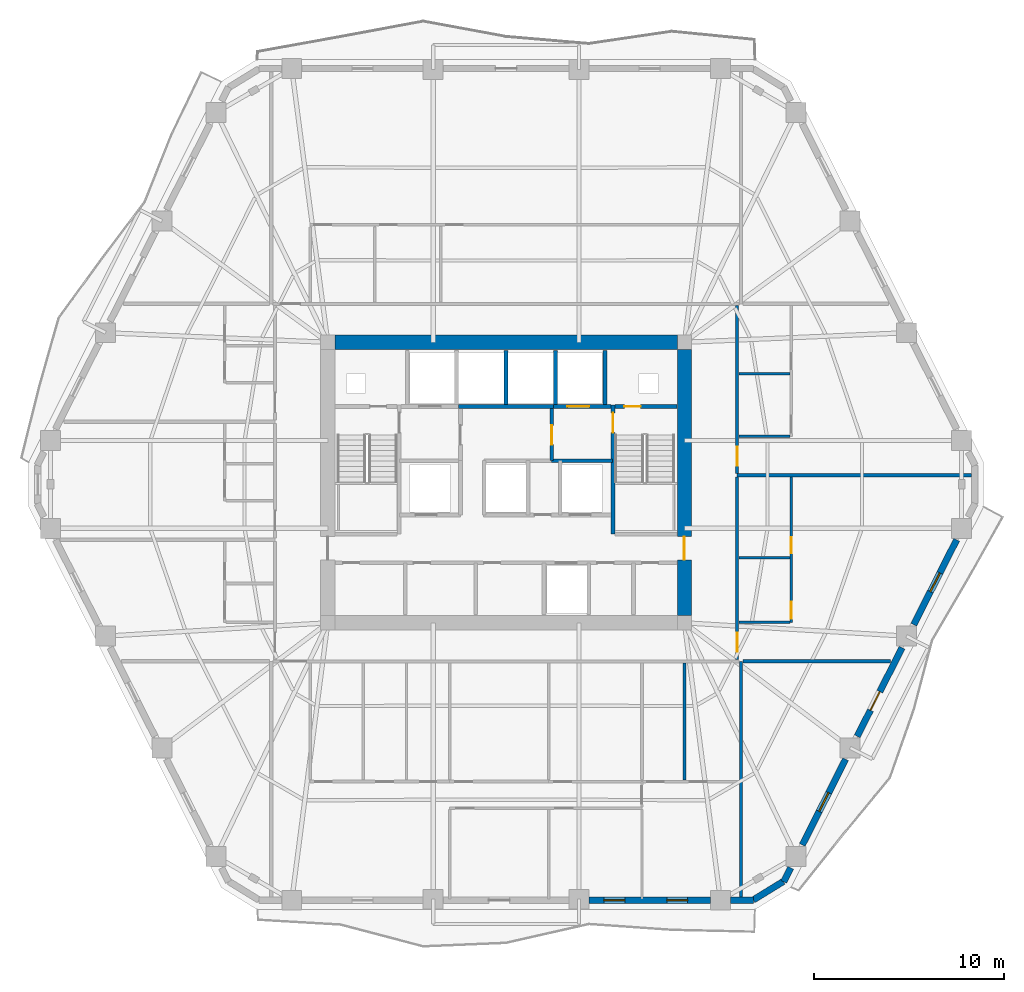
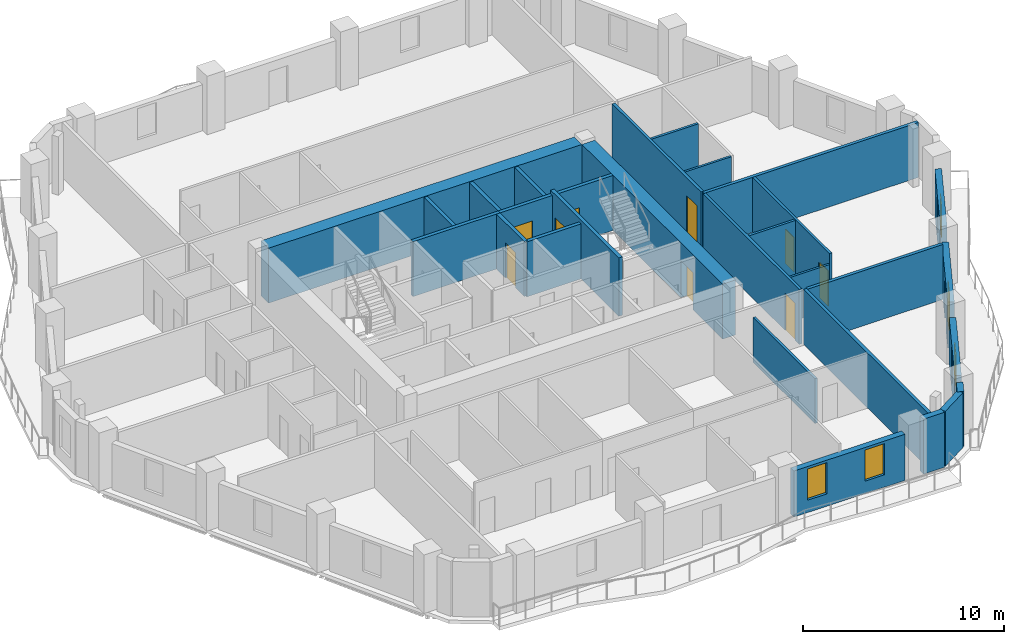
# One storey, part 6 of 10: 29 walls, 10 doors, 4 windows, 14 openings.
"""IFC4 building model written with IfcOpenShell, lengths in metres."""

from ifc_helpers import new_model, si_unit, direction, frame, frame_2d, origin, place, context, subcontext, project, spatial, rectangle, extrude, material, layer, layer_set, type_object, element, fill, save


model = new_model("IFC4")

# Units and contexts
model_context = context("Model", 3, precision=1e-05, world=origin(), true_north=direction((0.0, 1.0)))
body_context = subcontext(model_context, "Body", "Model", "MODEL_VIEW")
ifc_project = project(units=[si_unit("LENGTHUNIT", "METRE"), si_unit("AREAUNIT", "SQUARE_METRE"), si_unit("VOLUMEUNIT", "CUBIC_METRE"), si_unit("PLANEANGLEUNIT", "RADIAN"), si_unit("MASSUNIT", "GRAM", prefix="KILO")], contexts=[model_context])

# Site, building, storey
site_placement = place(None, origin())
site = spatial("IfcSite", under=ifc_project, at=site_placement, CompositionType="ELEMENT")
building_placement = place(site_placement, origin())
building = spatial("IfcBuilding", under=site, at=building_placement, Name="Cinnabar Lancet Tower", CompositionType="ELEMENT")
storey_placement = place(building_placement, frame((0.0, 0.0, 119.699951171875)))
storey = spatial("IfcBuildingStorey", under=building, at=storey_placement, Name="L31", CompositionType="ELEMENT", Elevation=119.699951171875)

# Wall, opening, door
ifc_material_1 = material(Name="Acoustic twin-stud gypsum partition", Category="gypsum")
ifc_layer_1 = layer(ifc_material_1, 0.159912109375)
ifc_layer_set_1 = layer_set([ifc_layer_1], Name="Acoustic twin-stud gypsum partition")
wall_type_1 = type_object("IfcWallType", Name="ARC-WL-CORR-160", PredefinedType="PARTITIONING", material=ifc_layer_set_1)
wall_1_placement = place(storey_placement, frame((44.550048828125, 16.594970703125, 0.0), z_axis=(0.0, 0.0, 1.0), x_axis=(0.0, 1.0, 0.0)))
wall_1 = element("IfcWall", 1, at=wall_1_placement, inside=storey, type_object=wall_type_1, Name="UW-L31-E01-COR", PredefinedType="PARTITIONING", context=body_context, shape_type="SweptSolid", body=[
    extrude(rectangle(XDim=9.5859375, YDim=0.159912109375, at=frame_2d((4.79296875, 0.0))), origin(), (0.0, 0.0, 1.0), 3.340087890625),
])
opening_1_placement = place(wall_1_placement, frame((0.39990234375, 0.0, 0.0)))
opening_1 = element("IfcOpeningElement", 2, at=opening_1_placement, cuts=wall_1, Name="Opening UD-01", PredefinedType="OPENING", context=body_context, shape_type="SweptSolid", body=[
    extrude(rectangle(XDim=1.02001953125, YDim=2.25, at=frame_2d((0.510009765625, 1.125))), frame((0.0, 0.08984375, 0.0), z_axis=(0.0, -1.0, 0.0), x_axis=(1.0, 0.0, 0.0)), (0.0, 0.0, 1.0), 0.179931640625),
])
ifc_material_2 = material(Name="Solid timber fire-rated apartment entrance door", Category="wood")
door_type_1 = type_object("IfcDoorType", Name="ARC-DR-UNIT", OperationType="NOTDEFINED", PredefinedType="DOOR", material=ifc_material_2)
door_1_placement = place(opening_1_placement, origin())
door_1 = element("IfcDoor", 3, at=door_1_placement, inside=storey, type_object=door_type_1, Name="DR-L31-E01-ENT", OperationType="SINGLE_SWING_RIGHT", OverallHeight=2.25, OverallWidth=1.02001953125, PredefinedType="DOOR", context=body_context, shape_type="SweptSolid", body=[
    extrude(rectangle(XDim=1.02001953125, YDim=2.25, at=frame_2d((0.510009765625, 1.125))), frame((0.0, 0.02490234375, 0.0), z_axis=(0.0, -1.0, 0.0), x_axis=(1.0, 0.0, 0.0)), (0.0, 0.0, 1.0), 0.050048828125),
])
fill(opening_1, door_1)

wall_2_placement = place(storey_placement, frame((44.550048828125, 26.37109375, 0.0), z_axis=(0.0, 0.0, 1.0), x_axis=(0.0, 1.0, 0.0)))
wall_2 = element("IfcWall", 4, at=wall_2_placement, inside=storey, type_object=wall_type_1, Name="UW-L31-E02-COR", PredefinedType="PARTITIONING", context=body_context, shape_type="SweptSolid", body=[
    extrude(rectangle(XDim=8.833984375, YDim=0.159912109375, at=frame_2d((4.4169921875, 0.0))), origin(), (0.0, 0.0, 1.0), 3.340087890625),
])
opening_2_placement = place(wall_2_placement, frame((0.39990234375, 0.0, 0.0)))
opening_2 = element("IfcOpeningElement", 5, at=opening_2_placement, cuts=wall_2, Name="Opening UD-01", PredefinedType="OPENING", context=body_context, shape_type="SweptSolid", body=[
    extrude(rectangle(XDim=1.02001953125, YDim=2.25, at=frame_2d((0.510009765625, 1.125))), frame((0.0, 0.08984375, 0.0), z_axis=(0.0, -1.0, 0.0), x_axis=(1.0, 0.0, 0.0)), (0.0, 0.0, 1.0), 0.179931640625),
])
door_2_placement = place(opening_2_placement, origin())
door_2 = element("IfcDoor", 6, at=door_2_placement, inside=storey, type_object=door_type_1, Name="DR-L31-E02-ENT", OperationType="SINGLE_SWING_LEFT", OverallHeight=2.25, OverallWidth=1.02001953125, PredefinedType="DOOR", context=body_context, shape_type="SweptSolid", body=[
    extrude(rectangle(XDim=1.02001953125, YDim=2.25, at=frame_2d((0.510009765625, 1.125))), frame((0.0, 0.02490234375, 0.0), z_axis=(0.0, -1.0, 0.0), x_axis=(1.0, 0.0, 0.0)), (0.0, 0.0, 1.0), 0.050048828125),
])
fill(opening_2, door_2)

# Walls
ifc_material_3 = material(Name="Fire-rated twin-frame acoustic drywall", Category="gypsum")
ifc_layer_2 = layer(ifc_material_3, 0.179931640625)
ifc_layer_set_2 = layer_set([ifc_layer_2], Name="Fire-rated twin-frame acoustic drywall")
wall_type_2 = type_object("IfcWallType", Name="ARC-WL-PARTY-180", PredefinedType="PARTITIONING", material=ifc_layer_set_2)
wall_3_placement = place(storey_placement, frame((44.75, 4.10498046875, 0.0), z_axis=(0.0, 0.0, 1.0), x_axis=(0.0, 1.0, 0.0)))
element("IfcWall", 7, at=wall_3_placement, inside=storey, type_object=wall_type_2, Name="PW-L31-SPTY-448", PredefinedType="PARTITIONING", context=body_context, shape_type="SweptSolid", body=[
    extrude(rectangle(XDim=12.39501953125, YDim=0.179931640625, at=frame_2d((6.197509765625, 0.0))), origin(), (0.0, 0.0, 1.0), 3.340087890625),
])
wall_4_placement = place(storey_placement, frame((44.844970703125, 16.5, 0.0), z_axis=(0.0, 0.0, 1.0), x_axis=(1.0, 0.0, 0.0)))
element("IfcWall", 8, at=wall_4_placement, inside=storey, type_object=wall_type_2, Name="PW-L31-ESB", PredefinedType="PARTITIONING", context=body_context, shape_type="SweptSolid", body=[
    extrude(rectangle(XDim=7.77001953125, YDim=0.179931640625, at=frame_2d((3.885009765625, 0.0))), origin(), (0.0, 0.0, 1.0), 3.340087890625),
])
wall_5_placement = place(storey_placement, frame((44.550048828125, 26.27587890625, 0.0), z_axis=(0.0, 0.0, 1.0), x_axis=(1.0, 0.0, 0.0)))
element("IfcWall", 9, at=wall_5_placement, inside=storey, type_object=wall_type_2, Name="PW-L31-EPTY-1", PredefinedType="PARTITIONING", context=body_context, shape_type="SweptSolid", body=[
    extrude(rectangle(XDim=12.307861328125, YDim=0.179931640625, at=frame_2d((6.15380859375, 0.0))), origin(), (0.0, 0.0, 1.0), 3.340087890625),
])
ifc_material_4 = material(Name="Autoclaved aerated concrete blockwork", Category="masonry")
ifc_layer_3 = layer(ifc_material_4, 0.199951171875)
ifc_layer_set_3 = layer_set([ifc_layer_3], Name="Autoclaved aerated concrete blockwork")
wall_type_3 = type_object("IfcWallType", Name="ARC-WL-SHAFT-200", PredefinedType="PLUMBINGWALL", material=ifc_layer_set_3)
wall_6_placement = place(storey_placement, frame((29.89990234375, 29.89990234375, 0.0), z_axis=(0.0, 0.0, 1.0), x_axis=(1.0, 0.0, 0.0)))
element("IfcWall", 10, at=wall_6_placement, inside=storey, type_object=wall_type_3, Name="CW-PL78-L31", PredefinedType="PLUMBINGWALL", context=body_context, shape_type="SweptSolid", body=[
    extrude(rectangle(XDim=5.0, YDim=0.199951171875, at=frame_2d((2.5, 0.0))), origin(), (0.0, 0.0, 1.0), 3.340087890625),
])

# Wall, opening, door
wall_7_placement = place(storey_placement, frame((34.89990234375, 29.89990234375, 0.0), z_axis=(0.0, 0.0, 1.0), x_axis=(1.0, 0.0, 0.0)))
wall_7 = element("IfcWall", 11, at=wall_7_placement, inside=storey, type_object=wall_type_3, Name="CW-FL2-L31", PredefinedType="PLUMBINGWALL", context=body_context, shape_type="SweptSolid", body=[
    extrude(rectangle(XDim=3.01513671875, YDim=0.199951171875, at=frame_2d((1.507568359375, 0.0))), origin(), (0.0, 0.0, 1.0), 3.340087890625),
])
opening_3_placement = place(wall_7_placement, frame((0.72509765625, 0.0, 0.0)))
opening_3 = element("IfcOpeningElement", 12, at=opening_3_placement, cuts=wall_7, Name="Opening LD-02", PredefinedType="OPENING", context=body_context, shape_type="SweptSolid", body=[
    extrude(rectangle(XDim=1.14990234375, YDim=2.199951171875, at=frame_2d((0.574951171875, 1.10009765625))), frame((0.0, 0.10986328125, 0.0), z_axis=(0.0, -1.0, 0.0), x_axis=(1.0, 0.0, 0.0)), (0.0, 0.0, 1.0), 0.219970703125),
])
ifc_material_5 = material(Name="Fire-rated stainless steel firefighting lift landing door", Category="steel")
door_type_2 = type_object("IfcDoorType", Name="ARC-DR-LD-FIRE", OperationType="NOTDEFINED", PredefinedType="DOOR", material=ifc_material_5)
door_3_placement = place(opening_3_placement, origin())
door_3 = element("IfcDoor", 13, at=door_3_placement, inside=storey, type_object=door_type_2, Name="L31 Firefighting Lift FL-2 Landing Door", OperationType="DOUBLE_DOOR_SLIDING", OverallHeight=2.199951171875, OverallWidth=1.14990234375, PredefinedType="DOOR", context=body_context, shape_type="SweptSolid", body=[
    extrude(rectangle(XDim=1.14990234375, YDim=2.199951171875, at=frame_2d((0.574951171875, 1.10009765625))), frame((0.0, 0.02490234375, 0.0), z_axis=(0.0, -1.0, 0.0), x_axis=(1.0, 0.0, 0.0)), (0.0, 0.0, 1.0), 0.050048828125),
])
fill(opening_3, door_3)

wall_8_placement = place(storey_placement, frame((38.125, 29.89990234375, 0.0), z_axis=(0.0, 0.0, 1.0), x_axis=(1.0, 0.0, 0.0)))
wall_8 = element("IfcWall", 14, at=wall_8_placement, inside=storey, type_object=wall_type_3, Name="CW-NSH-E-L31", PredefinedType="PLUMBINGWALL", context=body_context, shape_type="SweptSolid", body=[
    extrude(rectangle(XDim=3.27001953125, YDim=0.199951171875, at=frame_2d((1.635009765625, 0.0))), origin(), (0.0, 0.0, 1.0), 3.340087890625),
])
opening_4_placement = place(wall_8_placement, frame((0.5, 0.0, 0.0)))
opening_4 = element("IfcOpeningElement", 15, at=opening_4_placement, cuts=wall_8, Name="Opening PD-02", PredefinedType="OPENING", context=body_context, shape_type="SweptSolid", body=[
    extrude(rectangle(XDim=0.85009765625, YDim=2.050048828125, at=frame_2d((0.425048828125, 1.02490234375))), frame((0.0, 0.10986328125, 0.0), z_axis=(0.0, -1.0, 0.0), x_axis=(1.0, 0.0, 0.0)), (0.0, 0.0, 1.0), 0.219970703125),
])
ifc_material_6 = material(Name="Fire-rated steel riser access door", Category="steel")
door_type_3 = type_object("IfcDoorType", Name="ARC-DR-RISER", OperationType="NOTDEFINED", PredefinedType="DOOR", material=ifc_material_6)
door_4_placement = place(opening_4_placement, origin())
door_4 = element("IfcDoor", 16, at=door_4_placement, inside=storey, type_object=door_type_3, Name="L31 East Riser Access Door", OperationType="SINGLE_SWING_RIGHT", OverallHeight=2.050048828125, OverallWidth=0.85009765625, PredefinedType="DOOR", context=body_context, shape_type="SweptSolid", body=[
    extrude(rectangle(XDim=0.85009765625, YDim=2.050048828125, at=frame_2d((0.425048828125, 1.02490234375))), frame((0.0, 0.02490234375, 0.0), z_axis=(0.0, -1.0, 0.0), x_axis=(1.0, 0.0, 0.0)), (0.0, 0.0, 1.0), 0.050048828125),
])
fill(opening_4, door_4)

# Walls
for number, where, z_axis, x_axis, name in (
    (17, (32.39990234375, 30.0, 0.0), (0.0, 0.0, 1.0), (0.0, 1.0, 0.0), "CW-NSH-D3-L31"),
    (18, (35.0, 30.0, 0.0), (0.0, 0.0, 1.0), (0.0, 1.0, 0.0), "CW-NSH-D4-L31"),
    (19, (37.60009765625, 30.0, 0.0), (0.0, 0.0, 1.0), (0.0, 1.0, 0.0), "CW-NSH-D5-L31"),
):
    element("IfcWall", number, at=place(storey_placement, frame(where, z_axis=z_axis, x_axis=x_axis)), inside=storey, type_object=wall_type_3, Name=name, PredefinedType="PLUMBINGWALL", context=body_context, shape_type="SweptSolid", body=[
        extrude(rectangle(XDim=2.85009765625, YDim=0.199951171875, at=frame_2d((1.425048828125, 0.0))), origin(), (0.0, 0.0, 1.0), 3.340087890625),
    ])

# Wall, opening, door
wall_9_placement = place(storey_placement, frame((34.800048828125, 27.050048828125, 0.0), z_axis=(0.0, 0.0, 1.0), x_axis=(0.0, 1.0, 0.0)))
wall_9 = element("IfcWall", 20, at=wall_9_placement, inside=storey, type_object=wall_type_3, Name="CW-FF2W-L31", PredefinedType="PLUMBINGWALL", context=body_context, shape_type="SweptSolid", body=[
    extrude(rectangle(XDim=2.75, YDim=0.199951171875, at=frame_2d((1.375, 0.0))), origin(), (0.0, 0.0, 1.0), 3.340087890625),
])
opening_5_placement = place(wall_9_placement, frame((0.85009765625, 0.0, 0.0)))
opening_5 = element("IfcOpeningElement", 21, at=opening_5_placement, cuts=wall_9, Name="Opening FD-01", PredefinedType="OPENING", context=body_context, shape_type="SweptSolid", body=[
    extrude(rectangle(XDim=1.0, YDim=2.14990234375, at=frame_2d((0.5, 1.074951171875))), frame((0.0, 0.10986328125, 0.0), z_axis=(0.0, -1.0, 0.0), x_axis=(1.0, 0.0, 0.0)), (0.0, 0.0, 1.0), 0.219970703125),
])
ifc_material_7 = material(Name="Fire-rated timber-core lobby door", Category="wood")
door_type_4 = type_object("IfcDoorType", Name="ARC-DR-FFAL", OperationType="NOTDEFINED", PredefinedType="DOOR", material=ifc_material_7)
door_5_placement = place(opening_5_placement, origin())
door_5 = element("IfcDoor", 22, at=door_5_placement, inside=storey, type_object=door_type_4, Name="L31 FFAL-2 Lobby Fire Door", OperationType="SINGLE_SWING_LEFT", OverallHeight=2.14990234375, OverallWidth=1.0, PredefinedType="DOOR", context=body_context, shape_type="SweptSolid", body=[
    extrude(rectangle(XDim=1.0, YDim=2.14990234375, at=frame_2d((0.5, 1.074951171875))), frame((0.0, 0.02490234375, 0.0), z_axis=(0.0, -1.0, 0.0), x_axis=(1.0, 0.0, 0.0)), (0.0, 0.0, 1.0), 0.050048828125),
])
fill(opening_5, door_5)

# Walls
wall_10_placement = place(storey_placement, frame((34.800048828125, 27.050048828125, 0.0), z_axis=(0.0, 0.0, 1.0), x_axis=(1.0, 0.0, 0.0)))
element("IfcWall", 23, at=wall_10_placement, inside=storey, type_object=wall_type_3, Name="CW-FF2S-L31", PredefinedType="PLUMBINGWALL", context=body_context, shape_type="SweptSolid", body=[
    extrude(rectangle(XDim=3.199951171875, YDim=0.199951171875, at=frame_2d((1.60009765625, 0.0))), origin(), (0.0, 0.0, 1.0), 3.340087890625),
])
ifc_material_8 = material(Name="Gypsum plasterboard stud partition", Category="gypsum")
ifc_layer_4 = layer(ifc_material_8, 0.125)
ifc_layer_set_4 = layer_set([ifc_layer_4], Name="Gypsum plasterboard stud partition")
wall_type_4 = type_object("IfcWallType", Name="ARC-WL-UNIT-125", PredefinedType="PARTITIONING", material=ifc_layer_set_4)
wall_11_placement = place(storey_placement, frame((44.635009765625, 18.550048828125, 0.0), z_axis=(0.0, 0.0, 1.0), x_axis=(1.0, 0.0, 0.0)))
element("IfcWall", 24, at=wall_11_placement, inside=storey, type_object=wall_type_4, Name="UW-L31-E01-FOYN", PredefinedType="PARTITIONING", context=body_context, shape_type="SweptSolid", body=[
    extrude(rectangle(XDim=2.679931640625, YDim=0.125, at=frame_2d((1.33984375, 0.0))), origin(), (0.0, 0.0, 1.0), 2.72216796875),
])
wall_12_placement = place(storey_placement, frame((44.635009765625, 28.325927734375, 0.0), z_axis=(0.0, 0.0, 1.0), x_axis=(1.0, 0.0, 0.0)))
element("IfcWall", 25, at=wall_12_placement, inside=storey, type_object=wall_type_4, Name="UW-L31-E02-FOYN", PredefinedType="PARTITIONING", context=body_context, shape_type="SweptSolid", body=[
    extrude(rectangle(XDim=2.679931640625, YDim=0.125, at=frame_2d((1.33984375, 0.0))), origin(), (0.0, 0.0, 1.0), 3.340087890625),
])
ifc_material_9 = material(Name="Moisture-resistant cement-board plumbing wall", Category="masonry")
ifc_layer_5 = layer(ifc_material_9, 0.139892578125)
ifc_layer_set_5 = layer_set([ifc_layer_5], Name="Moisture-resistant cement-board plumbing wall")
wall_type_5 = type_object("IfcWallType", Name="ARC-WL-WET-140", PredefinedType="PLUMBINGWALL", material=ifc_layer_set_5)
wall_13_placement = place(storey_placement, frame((41.782958984375, 10.263916015625, 0.0), z_axis=(0.0, 0.0, 1.0), x_axis=(0.0, 1.0, 0.0)))
element("IfcWall", 26, at=wall_13_placement, inside=storey, type_object=wall_type_5, Name="UW-L31-S01-ENS-WDV", PredefinedType="PLUMBINGWALL", context=body_context, shape_type="SweptSolid", body=[
    extrude(rectangle(XDim=6.151123046875, YDim=0.139892578125, at=frame_2d((3.07568359375, 0.0))), origin(), (0.0, 0.0, 1.0), 2.72216796875),
])

# Wall, openings, doors
wall_14_placement = place(storey_placement, frame((47.39990234375, 18.550048828125, 0.0), z_axis=(0.0, 0.0, 1.0), x_axis=(0.0, 1.0, 0.0)))
wall_14 = element("IfcWall", 27, at=wall_14_placement, inside=storey, type_object=wall_type_5, Name="UW-L31-E01-SPL", PredefinedType="PLUMBINGWALL", context=body_context, shape_type="SweptSolid", body=[
    extrude(rectangle(XDim=7.630859375, YDim=0.139892578125, at=frame_2d((3.8154296875, 0.0))), origin(), (0.0, 0.0, 1.0), 3.340087890625),
])
opening_6_placement = place(wall_14_placement, frame((3.6201171875, 0.0, 0.0)))
opening_6 = element("IfcOpeningElement", 28, at=opening_6_placement, cuts=wall_14, Name="Opening BD-01", PredefinedType="OPENING", context=body_context, shape_type="SweptSolid", body=[
    extrude(rectangle(XDim=0.860107421875, YDim=2.10009765625, at=frame_2d((0.43017578125, 1.050048828125))), frame((0.0, 0.079833984375, 0.0), z_axis=(0.0, -1.0, 0.0), x_axis=(1.0, 0.0, 0.0)), (0.0, 0.0, 1.0), 0.159912109375),
])
opening_7_placement = place(wall_14_placement, frame((0.199951171875, 0.0, 0.0)))
opening_7 = element("IfcOpeningElement", 29, at=opening_7_placement, cuts=wall_14, Name="Opening RD-02", PredefinedType="OPENING", context=body_context, shape_type="SweptSolid", body=[
    extrude(rectangle(XDim=0.8798828125, YDim=2.14990234375, at=frame_2d((0.43994140625, 1.074951171875))), frame((0.0, 0.079833984375, 0.0), z_axis=(0.0, -1.0, 0.0), x_axis=(1.0, 0.0, 0.0)), (0.0, 0.0, 1.0), 0.159912109375),
])
ifc_material_10 = material(Name="Moisture-resistant timber bathroom door", Category="wood")
door_type_5 = type_object("IfcDoorType", Name="ARC-DR-BATH", OperationType="NOTDEFINED", PredefinedType="DOOR", material=ifc_material_10)
door_6_placement = place(opening_6_placement, origin())
door_6 = element("IfcDoor", 30, at=door_6_placement, inside=storey, type_object=door_type_5, Name="DR-L31-E01-BTH", OperationType="SINGLE_SWING_RIGHT", OverallHeight=2.10009765625, OverallWidth=0.860107421875, PredefinedType="DOOR", context=body_context, shape_type="SweptSolid", body=[
    extrude(rectangle(XDim=0.860107421875, YDim=2.10009765625, at=frame_2d((0.43017578125, 1.050048828125))), frame((0.0, 0.02490234375, 0.0), z_axis=(0.0, -1.0, 0.0), x_axis=(1.0, 0.0, 0.0)), (0.0, 0.0, 1.0), 0.050048828125),
])
fill(opening_6, door_6)
ifc_material_11 = material(Name="Engineered timber study door", Category="wood")
door_type_6 = type_object("IfcDoorType", Name="ARC-DR-STUDY", OperationType="NOTDEFINED", PredefinedType="DOOR", material=ifc_material_11)
door_7_placement = place(opening_7_placement, origin())
door_7 = element("IfcDoor", 31, at=door_7_placement, inside=storey, type_object=door_type_6, Name="DR-L31-E01-KIT", OperationType="SINGLE_SWING_LEFT", OverallHeight=2.14990234375, OverallWidth=0.8798828125, PredefinedType="DOOR", context=body_context, shape_type="SweptSolid", body=[
    extrude(rectangle(XDim=0.8798828125, YDim=2.14990234375, at=frame_2d((0.43994140625, 1.074951171875))), frame((0.0, 0.02490234375, 0.0), z_axis=(0.0, -1.0, 0.0), x_axis=(1.0, 0.0, 0.0)), (0.0, 0.0, 1.0), 0.050048828125),
])
fill(opening_7, door_7)

# Walls
for number, where, z_axis, x_axis, name in (
    (32, (44.635009765625, 21.949951171875, 0.0), (0.0, 0.0, 1.0), (1.0, 0.0, 0.0), "UW-L31-E01-KDV"),
    (33, (44.635009765625, 31.6279296875, 0.0), (0.0, 0.0, 1.0), (1.0, 0.0, 0.0), "UW-L31-E02-KDV"),
):
    element("IfcWall", number, at=place(storey_placement, frame(where, z_axis=z_axis, x_axis=x_axis)), inside=storey, type_object=wall_type_5, Name=name, PredefinedType="PLUMBINGWALL", context=body_context, shape_type="SweptSolid", body=[
        extrude(rectangle(XDim=2.679931640625, YDim=0.139892578125, at=frame_2d((1.33984375, 0.0))), origin(), (0.0, 0.0, 1.0), 3.340087890625),
    ])
ifc_material_12 = material(Name="Cinnabar red clay brick", Category="masonry")
ifc_layer_6 = layer(ifc_material_12, 0.340087890625)
ifc_layer_set_6 = layer_set([ifc_layer_6], Name="Cinnabar red clay brick")
wall_type_6 = type_object("IfcWallType", Name="ENV-WL-BRK-RED-340", PredefinedType="STANDARD", material=ifc_layer_set_6)
wall_15_placement = place(storey_placement, frame((45.39697265625, 3.955078125, 0.0), z_axis=(0.0, 0.0, 1.0), x_axis=(0.851798915137, 0.523868884523, 0.0)))
element("IfcWall", 34, at=wall_15_placement, inside=storey, type_object=wall_type_6, Name="L31 Chamfered Corner Brick Pier 2.1", PredefinedType="STANDARD", context=body_context, shape_type="SweptSolid", body=[
    extrude(rectangle(XDim=1.847900390625, YDim=0.340087890625, at=frame_2d((0.923828125, 0.0))), origin(), (0.0, 0.0, 1.0), 3.340087890625),
])

# Wall, openings, windows
wall_16_placement = place(storey_placement, frame((36.760986328125, 3.929931640625, 0.0), z_axis=(0.0, 0.0, 1.0), x_axis=(1.0, 0.0, 0.0)))
wall_16 = element("IfcWall", 35, at=wall_16_placement, inside=storey, type_object=wall_type_6, Name="L31 Face 1 Masonry Bay Wall 4", PredefinedType="STANDARD", context=body_context, shape_type="SweptSolid", body=[
    extrude(rectangle(XDim=6.37890625, YDim=0.340087890625, at=frame_2d((3.189453125, 0.0))), origin(), (0.0, 0.0, 1.0), 2.797119140625),
])
opening_8_placement = place(wall_16_placement, frame((0.784912109375, 0.0, 0.75)))
opening_8 = element("IfcOpeningElement", 36, at=opening_8_placement, cuts=wall_16, Name="Opening WN-04", PredefinedType="OPENING", context=body_context, shape_type="SweptSolid", body=[
    extrude(rectangle(XDim=1.10009765625, YDim=1.89697265625, at=frame_2d((0.550048828125, 0.948486328125))), frame((0.0, 0.179931640625, 0.0), z_axis=(0.0, -1.0, 0.0), x_axis=(1.0, 0.0, 0.0)), (0.0, 0.0, 1.0), 0.360107421875),
])
opening_9_placement = place(wall_16_placement, frame((4.0869140625, 0.0, 0.75)))
opening_9 = element("IfcOpeningElement", 37, at=opening_9_placement, cuts=wall_16, Name="Opening WN-04", PredefinedType="OPENING", context=body_context, shape_type="SweptSolid", body=[
    extrude(rectangle(XDim=1.10009765625, YDim=1.89697265625, at=frame_2d((0.550048828125, 0.948486328125))), frame((0.0, 0.179931640625, 0.0), z_axis=(0.0, -1.0, 0.0), x_axis=(1.0, 0.0, 0.0)), (0.0, 0.0, 1.0), 0.360107421875),
])
ifc_material_13 = material(Name="Thermally broken bronze-anodized aluminium tall lancet window", Category="aluminium")
window_type = type_object("IfcWindowType", Name="ENV-WN-LANCET-1100", PartitioningType="SINGLE_PANEL", PredefinedType="WINDOW", material=ifc_material_13)
window_1_placement = place(opening_8_placement, origin())
window_1 = element("IfcWindow", 38, at=window_1_placement, inside=storey, type_object=window_type, Name="L31 Face 1 Gothic Lancet Window 4", OverallHeight=1.89697265625, OverallWidth=1.10009765625, PartitioningType="SINGLE_PANEL", PredefinedType="WINDOW", context=body_context, shape_type="SweptSolid", body=[
    extrude(rectangle(XDim=1.10009765625, YDim=1.89697265625, at=frame_2d((0.550048828125, 0.948486328125))), frame((0.0, 0.030029296875, 0.0), z_axis=(0.0, -1.0, 0.0), x_axis=(1.0, 0.0, 0.0)), (0.0, 0.0, 1.0), 0.06005859375),
])
fill(opening_8, window_1)
window_2_placement = place(opening_9_placement, origin())
window_2 = element("IfcWindow", 39, at=window_2_placement, inside=storey, type_object=window_type, Name="L31 Split-Bay Gothic Lancet Window 98", OverallHeight=1.89697265625, OverallWidth=1.10009765625, PartitioningType="SINGLE_PANEL", PredefinedType="WINDOW", context=body_context, shape_type="SweptSolid", body=[
    extrude(rectangle(XDim=1.10009765625, YDim=1.89697265625, at=frame_2d((0.550048828125, 0.948486328125))), frame((0.0, 0.030029296875, 0.0), z_axis=(0.0, -1.0, 0.0), x_axis=(1.0, 0.0, 0.0)), (0.0, 0.0, 1.0), 0.06005859375),
])
fill(opening_9, window_2)

# Walls
wall_17_placement = place(storey_placement, frame((44.197998046875, 3.929931640625, 0.0), z_axis=(0.0, 0.0, 1.0), x_axis=(1.0, 0.0, 0.0)))
element("IfcWall", 40, at=wall_17_placement, inside=storey, type_object=wall_type_6, Name="L31 Face 1 Masonry Bay Wall 5", PredefinedType="STANDARD", context=body_context, shape_type="SweptSolid", body=[
    extrude(rectangle(XDim=1.2041015625, YDim=0.340087890625, at=frame_2d((0.60205078125, 0.0))), origin(), (0.0, 0.0, 1.0), 3.340087890625),
])
wall_18_placement = place(storey_placement, frame((46.990966796875, 4.906982421875, 0.0), z_axis=(0.0, 0.0, 1.0), x_axis=(0.45172514337, 0.892157158155, 0.0)))
element("IfcWall", 41, at=wall_18_placement, inside=storey, type_object=wall_type_6, Name="L31 Face 2 Masonry Bay Wall 1", PredefinedType="STANDARD", context=body_context, shape_type="SweptSolid", body=[
    extrude(rectangle(XDim=0.821533203125, YDim=0.340087890625, at=frame_2d((0.41064453125, 0.0))), origin(), (0.0, 0.0, 1.0), 3.340087890625),
])

# Wall, opening, window
wall_19_placement = place(storey_placement, frame((47.97509765625, 6.85205078125, 0.0), z_axis=(0.0, 0.0, 1.0), x_axis=(0.451548465867, 0.892246593142, 0.0)))
wall_19 = element("IfcWall", 42, at=wall_19_placement, inside=storey, type_object=wall_type_6, Name="L31 Face 2 Masonry Bay Wall 2", PredefinedType="STANDARD", context=body_context, shape_type="SweptSolid", body=[
    extrude(rectangle(XDim=5.040283203125, YDim=0.340087890625, at=frame_2d((2.52001953125, 0.0))), origin(), (0.0, 0.0, 1.0), 2.797119140625),
])
opening_10_placement = place(wall_19_placement, frame((1.969970703125, 0.0, 0.75)))
opening_10 = element("IfcOpeningElement", 43, at=opening_10_placement, cuts=wall_19, Name="Opening WN-04", PredefinedType="OPENING", context=body_context, shape_type="SweptSolid", body=[
    extrude(rectangle(XDim=1.10009765625, YDim=1.89697265625, at=frame_2d((0.550048828125, 0.948486328125))), frame((0.0, 0.179931640625, 0.0), z_axis=(0.0, -1.0, 0.0), x_axis=(1.0, 0.0, 0.0)), (0.0, 0.0, 1.0), 0.360107421875),
])
window_3_placement = place(opening_10_placement, origin())
window_3 = element("IfcWindow", 44, at=window_3_placement, inside=storey, type_object=window_type, Name="L31 Face 2 Gothic Lancet Window 2", OverallHeight=1.89697265625, OverallWidth=1.10009765625, PartitioningType="SINGLE_PANEL", PredefinedType="WINDOW", context=body_context, shape_type="SweptSolid", body=[
    extrude(rectangle(XDim=1.10009765625, YDim=1.89697265625, at=frame_2d((0.550048828125, 0.948486328125))), frame((0.0, 0.030029296875, 0.0), z_axis=(0.0, -1.0, 0.0), x_axis=(1.0, 0.0, 0.0)), (0.0, 0.0, 1.0), 0.06005859375),
])
fill(opening_10, window_3)

# Wall, opening, door
wall_20_placement = place(storey_placement, frame((50.863037109375, 12.56103515625, 0.0), z_axis=(0.0, 0.0, 1.0), x_axis=(0.451567731634, 0.892236842855, 0.0)))
wall_20 = element("IfcWall", 45, at=wall_20_placement, inside=storey, type_object=wall_type_6, Name="L31 Face 2 Masonry Bay Wall 3", PredefinedType="STANDARD", context=body_context, shape_type="SweptSolid", body=[
    extrude(rectangle(XDim=5.219482421875, YDim=0.340087890625, at=frame_2d((2.60986328125, 0.0))), origin(), (0.0, 0.0, 1.0), 2.797119140625),
])
opening_11_placement = place(wall_20_placement, frame((1.531982421875, 0.0, 0.0)))
opening_11 = element("IfcOpeningElement", 46, at=opening_11_placement, cuts=wall_20, Name="Opening TD-01", PredefinedType="OPENING", context=body_context, shape_type="SweptSolid", body=[
    extrude(rectangle(XDim=1.10009765625, YDim=2.25, at=frame_2d((0.550048828125, 1.125))), frame((0.0, 0.179931640625, 0.0), z_axis=(0.0, -1.0, 0.0), x_axis=(1.0, 0.0, 0.0)), (0.0, 0.0, 1.0), 0.360107421875),
])
ifc_material_14 = material(Name="Thermally broken low-E glazed balcony terrace door", Category="wood")
door_type_7 = type_object("IfcDoorType", Name="ARC-DR-BALC", OperationType="NOTDEFINED", PredefinedType="DOOR", material=ifc_material_14)
door_8_placement = place(opening_11_placement, origin())
door_8 = element("IfcDoor", 47, at=door_8_placement, inside=storey, type_object=door_type_7, Name="L31 Face 2 Glazed Terrace Door", OperationType="SINGLE_SWING_LEFT", OverallHeight=2.25, OverallWidth=1.10009765625, PredefinedType="DOOR", context=body_context, shape_type="SweptSolid", body=[
    extrude(rectangle(XDim=1.10009765625, YDim=2.25, at=frame_2d((0.550048828125, 1.125))), frame((0.0, 0.02490234375, 0.0), z_axis=(0.0, -1.0, 0.0), x_axis=(1.0, 0.0, 0.0)), (0.0, 0.0, 1.0), 0.050048828125),
])
fill(opening_11, door_8)

# Wall, opening, window
wall_21_placement = place(storey_placement, frame((53.83203125, 18.427978515625, 0.0), z_axis=(0.0, 0.0, 1.0), x_axis=(0.451431617681, 0.892305718102, 0.0)))
wall_21 = element("IfcWall", 48, at=wall_21_placement, inside=storey, type_object=wall_type_6, Name="L31 Face 2 Masonry Bay Wall 4", PredefinedType="STANDARD", context=body_context, shape_type="SweptSolid", body=[
    extrude(rectangle(XDim=4.994873046875, YDim=0.340087890625, at=frame_2d((2.49755859375, 0.0))), origin(), (0.0, 0.0, 1.0), 2.797119140625),
])
opening_12_placement = place(wall_21_placement, frame((1.947021484375, 0.0, 0.75)))
opening_12 = element("IfcOpeningElement", 49, at=opening_12_placement, cuts=wall_21, Name="Opening WN-04", PredefinedType="OPENING", context=body_context, shape_type="SweptSolid", body=[
    extrude(rectangle(XDim=1.10009765625, YDim=1.89697265625, at=frame_2d((0.550048828125, 0.948486328125))), frame((0.0, 0.179931640625, 0.0), z_axis=(0.0, -1.0, 0.0), x_axis=(1.0, 0.0, 0.0)), (0.0, 0.0, 1.0), 0.360107421875),
])
window_4_placement = place(opening_12_placement, origin())
window_4 = element("IfcWindow", 50, at=window_4_placement, inside=storey, type_object=window_type, Name="L31 Face 2 Gothic Lancet Window 4", OverallHeight=1.89697265625, OverallWidth=1.10009765625, PartitioningType="SINGLE_PANEL", PredefinedType="WINDOW", context=body_context, shape_type="SweptSolid", body=[
    extrude(rectangle(XDim=1.10009765625, YDim=1.89697265625, at=frame_2d((0.550048828125, 0.948486328125))), frame((0.0, 0.030029296875, 0.0), z_axis=(0.0, -1.0, 0.0), x_axis=(1.0, 0.0, 0.0)), (0.0, 0.0, 1.0), 0.06005859375),
])
fill(opening_12, window_4)

# Wall
ifc_material_15 = material(Name="Concrete C70/85", Category="concrete")
ifc_layer_7 = layer(ifc_material_15, 0.75)
ifc_layer_set_7 = layer_set([ifc_layer_7], Name="Concrete C70/85")
wall_type_7 = type_object("IfcWallType", Name="STR-WL-CORE-750", PredefinedType="SHEAR", material=ifc_layer_set_7)
wall_22_placement = place(storey_placement, frame((23.39990234375, 33.27490234375, 0.0), z_axis=(0.0, 0.0, 1.0), x_axis=(1.0, 0.0, 0.0)))
element("IfcWall", 51, at=wall_22_placement, inside=storey, type_object=wall_type_7, Name="L31 Core Shear Wall N", PredefinedType="SHEAR", context=body_context, shape_type="SweptSolid", body=[
    extrude(rectangle(XDim=18.0, YDim=0.75, at=frame_2d((9.0, 0.0))), origin(), (0.0, 0.0, 1.0), 3.340087890625),
])

# Wall, opening, door
wall_23_placement = place(storey_placement, frame((41.77490234375, 18.89990234375, 0.0), z_axis=(0.0, 0.0, 1.0), x_axis=(0.0, 1.0, 0.0)))
wall_23 = element("IfcWall", 52, at=wall_23_placement, inside=storey, type_object=wall_type_7, Name="L31 Core Shear Wall E", PredefinedType="SHEAR", context=body_context, shape_type="SweptSolid", body=[
    extrude(rectangle(XDim=14.0, YDim=0.75, at=frame_2d((7.0, 0.0))), origin(), (0.0, 0.0, 1.0), 3.340087890625),
])
opening_13_placement = place(wall_23_placement, frame((2.93994140625, 0.0, 0.0)))
opening_13 = element("IfcOpeningElement", 53, at=opening_13_placement, cuts=wall_23, Name="Opening FD-02", PredefinedType="OPENING", context=body_context, shape_type="SweptSolid", body=[
    extrude(rectangle(XDim=1.219970703125, YDim=2.25, at=frame_2d((0.60986328125, 1.125))), frame((0.0, 0.385009765625, 0.0), z_axis=(0.0, -1.0, 0.0), x_axis=(1.0, 0.0, 0.0)), (0.0, 0.0, 1.0), 0.77001953125),
])
ifc_material_16 = material(Name="Fire-rated double-vision core portal door", Category="wood")
door_type_8 = type_object("IfcDoorType", Name="ARC-DR-CPORT", OperationType="NOTDEFINED", PredefinedType="DOOR", material=ifc_material_16)
door_9_placement = place(opening_13_placement, origin())
door_9 = element("IfcDoor", 54, at=door_9_placement, inside=storey, type_object=door_type_8, Name="L31 East Core Lobby Fire Door", OperationType="SINGLE_SWING_LEFT", OverallHeight=2.25, OverallWidth=1.219970703125, PredefinedType="DOOR", context=body_context, shape_type="SweptSolid", body=[
    extrude(rectangle(XDim=1.219970703125, YDim=2.25, at=frame_2d((0.60986328125, 1.125))), frame((0.0, 0.02490234375, 0.0), z_axis=(0.0, -1.0, 0.0), x_axis=(1.0, 0.0, 0.0)), (0.0, 0.0, 1.0), 0.050048828125),
])
fill(opening_13, door_9)

ifc_material_17 = material(Name="Concrete C50/60", Category="concrete")
ifc_layer_8 = layer(ifc_material_17, 0.199951171875)
ifc_layer_set_8 = layer_set([ifc_layer_8], Name="Concrete C50/60")
wall_type_8 = type_object("IfcWallType", Name="STR-WL-STAIR-200", PredefinedType="SHEAR", material=ifc_layer_set_8)
wall_24_placement = place(storey_placement, frame((38.02001953125, 23.199951171875, 0.0), z_axis=(0.0, 0.0, 1.0), x_axis=(0.0, 1.0, 0.0)))
wall_24 = element("IfcWall", 55, at=wall_24_placement, inside=storey, type_object=wall_type_8, Name="L31 Stair ST-2 Structural Enclosure Wall", PredefinedType="SHEAR", context=body_context, shape_type="SweptSolid", body=[
    extrude(rectangle(XDim=6.780029296875, YDim=0.199951171875, at=frame_2d((3.39013671875, 0.0))), origin(), (0.0, 0.0, 1.0), 3.550048828125),
])
opening_14_placement = place(wall_24_placement, frame((5.320068359375, 0.0, 0.0)))
opening_14 = element("IfcOpeningElement", 56, at=opening_14_placement, cuts=wall_24, Name="Opening SD-01", PredefinedType="OPENING", context=body_context, shape_type="SweptSolid", body=[
    extrude(rectangle(XDim=1.050048828125, YDim=2.14990234375, at=frame_2d((0.52490234375, 1.074951171875))), frame((0.0, 0.10986328125, 0.0), z_axis=(0.0, -1.0, 0.0), x_axis=(1.0, 0.0, 0.0)), (0.0, 0.0, 1.0), 0.219970703125),
])
ifc_material_18 = material(Name="Fire-rated steel stair exit door", Category="steel")
door_type_9 = type_object("IfcDoorType", Name="ARC-DR-STAIR", OperationType="NOTDEFINED", PredefinedType="DOOR", material=ifc_material_18)
door_10_placement = place(opening_14_placement, origin())
door_10 = element("IfcDoor", 57, at=door_10_placement, inside=storey, type_object=door_type_9, Name="L31 Stair ST-2 Fire Door", OperationType="SINGLE_SWING_RIGHT", OverallHeight=2.14990234375, OverallWidth=1.050048828125, PredefinedType="DOOR", context=body_context, shape_type="SweptSolid", body=[
    extrude(rectangle(XDim=1.050048828125, YDim=2.14990234375, at=frame_2d((0.52490234375, 1.074951171875))), frame((0.0, 0.02490234375, 0.0), z_axis=(0.0, -1.0, 0.0), x_axis=(1.0, 0.0, 0.0)), (0.0, 0.0, 1.0), 0.050048828125),
])
fill(opening_14, door_10)

save(model, "model.ifc")
